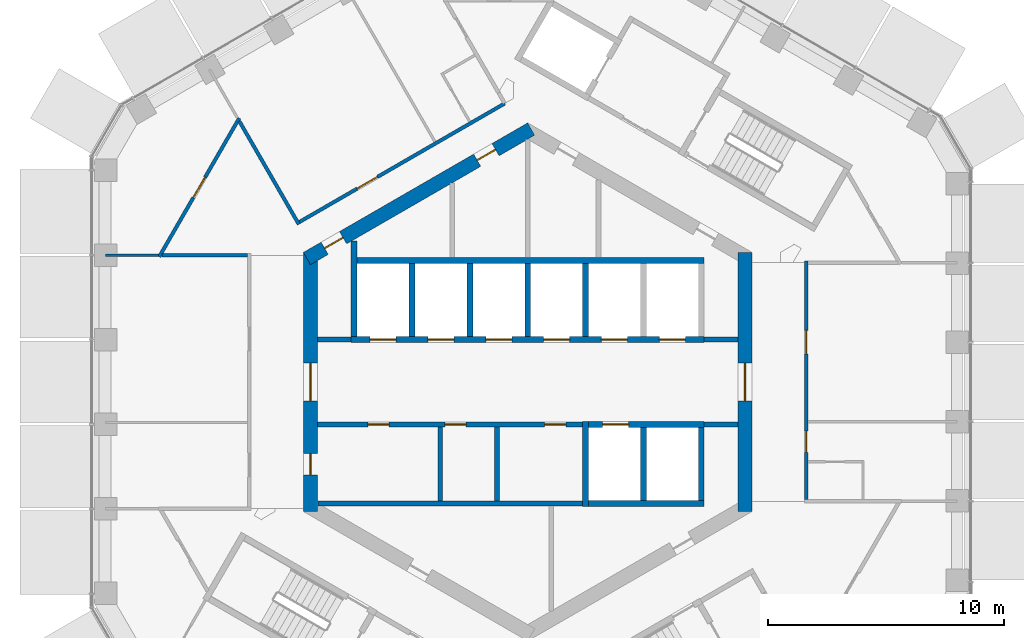
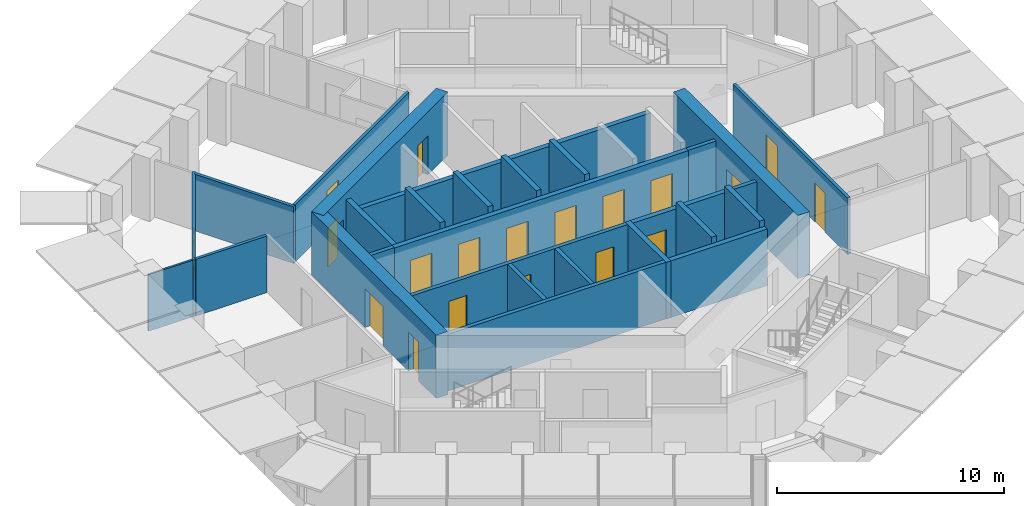
# One storey, part 14 of 18: 28 walls, 19 doors, 19 openings.
"""IFC4 building model written with IfcOpenShell, lengths in metres."""

from ifc_helpers import new_model, si_unit, direction, frame, frame_2d, origin, place, context, subcontext, project, spatial, rectangle, extrude, material, layer, layer_set, type_object, element, fill, save


model = new_model("IFC4")

# Units and contexts
model_context = context("Model", 3, precision=1e-05, world=origin(), true_north=direction((0.0, 1.0)))
body_context = subcontext(model_context, "Body", "Model", "MODEL_VIEW")
ifc_project = project(units=[si_unit("LENGTHUNIT", "METRE"), si_unit("AREAUNIT", "SQUARE_METRE"), si_unit("VOLUMEUNIT", "CUBIC_METRE"), si_unit("PLANEANGLEUNIT", "RADIAN"), si_unit("MASSUNIT", "GRAM", prefix="KILO")], contexts=[model_context])

# Site, building, storey
site_placement = place(None, origin())
site = spatial("IfcSite", under=ifc_project, at=site_placement, CompositionType="ELEMENT")
building_placement = place(site_placement, origin())
building = spatial("IfcBuilding", under=site, at=building_placement, Name="Ayvan Gate Tower", CompositionType="ELEMENT")
storey_placement = place(building_placement, frame((0.0, 0.0, 169.699951171875)))
storey = spatial("IfcBuildingStorey", under=building, at=storey_placement, Name="L45", CompositionType="ELEMENT", Elevation=169.699951171875)

# Wall, opening, door
ifc_material_1 = material(Name="Concrete C60/75", Category="concrete")
ifc_layer_1 = layer(ifc_material_1, 0.60009765625)
ifc_layer_set_1 = layer_set([ifc_layer_1], Name="Concrete C60/75")
wall_type_1 = type_object("IfcWallType", Name="Core wall 600 C60/75", PredefinedType="SHEAR", material=ifc_layer_set_1)
wall_1_placement = place(storey_placement, frame((9.199951171875, -5.48486328125, 0.0), z_axis=(0.0, 0.0, 1.0), x_axis=(0.0, 1.0, 0.0)))
wall_1 = element("IfcWall", 1, at=wall_1_placement, inside=storey, type_object=wall_type_1, Name="CORE-L45-0", PredefinedType="SHEAR", context=body_context, shape_type="SweptSolid", body=[
    extrude(rectangle(XDim=10.9697265625, YDim=0.60009765625, at=frame_2d((5.48486328125, 0.0))), origin(), (0.0, 0.0, 1.0), 3.400146484375),
])
opening_1_placement = place(wall_1_placement, frame((4.684814453125, 0.0, 0.0)))
opening_1 = element("IfcOpeningElement", 2, at=opening_1_placement, cuts=wall_1, Name="Opening L45-D44", PredefinedType="OPENING", context=body_context, shape_type="SweptSolid", body=[
    extrude(rectangle(XDim=1.60009765625, YDim=2.10009765625, at=frame_2d((0.800048828125, 1.050048828125))), frame((0.0, 0.31005859375, 0.0), z_axis=(0.0, -1.0, 0.0), x_axis=(1.0, 0.0, 0.0)), (0.0, 0.0, 1.0), 0.6201171875),
])
ifc_material_2 = material(Name="Timber door leaf", Category="wood")
door_type_1 = type_object("IfcDoorType", Name="DT-1600", OperationType="NOTDEFINED", PredefinedType="DOOR", material=ifc_material_2)
door_1_placement = place(opening_1_placement, origin())
door_1 = element("IfcDoor", 3, at=door_1_placement, inside=storey, type_object=door_type_1, Name="CD-L45-44", OperationType="SINGLE_SWING_LEFT", OverallHeight=2.10009765625, OverallWidth=1.60009765625, PredefinedType="DOOR", context=body_context, shape_type="SweptSolid", body=[
    extrude(rectangle(XDim=1.60009765625, YDim=2.10009765625, at=frame_2d((0.800048828125, 1.050048828125))), frame((0.0, 0.02490234375, 0.0), z_axis=(0.0, -1.0, 0.0), x_axis=(1.0, 0.0, 0.0)), (0.0, 0.0, 1.0), 0.050048828125),
])
fill(opening_1, door_1)

# Wall, openings, doors
wall_2_placement = place(storey_placement, frame((0.14990234375, 10.7099609375, 0.0), z_axis=(0.0, 0.0, 1.0), x_axis=(-0.866023993627, -0.500002442456, 0.0)))
wall_2 = element("IfcWall", 4, at=wall_2_placement, inside=storey, type_object=wall_type_1, Name="CORE-L45-2", PredefinedType="SHEAR", context=body_context, shape_type="SweptSolid", body=[
    extrude(rectangle(XDim=10.9697265625, YDim=0.60009765625, at=frame_2d((5.48486328125, 0.0))), origin(), (0.0, 0.0, 1.0), 3.400146484375),
])
opening_2_placement = place(wall_2_placement, frame((9.201416015625, 0.0, 0.0)))
opening_2 = element("IfcOpeningElement", 5, at=opening_2_placement, cuts=wall_2, Name="Opening L45-D37", PredefinedType="OPENING", context=body_context, shape_type="SweptSolid", body=[
    extrude(rectangle(XDim=0.89990234375, YDim=2.10009765625, at=frame_2d((0.449951171875, 1.050048828125))), frame((0.0, 0.31005859375, 0.0), z_axis=(0.0, -1.0, 0.0), x_axis=(1.0, 0.0, 0.0)), (0.0, 0.0, 1.0), 0.6201171875),
])
opening_3_placement = place(wall_2_placement, frame((1.744384765625, 0.0, 0.0)))
opening_3 = element("IfcOpeningElement", 6, at=opening_3_placement, cuts=wall_2, Name="Opening L45-D38", PredefinedType="OPENING", context=body_context, shape_type="SweptSolid", body=[
    extrude(rectangle(XDim=0.89990234375, YDim=2.10009765625, at=frame_2d((0.449951171875, 1.050048828125))), frame((0.0, 0.31005859375, 0.0), z_axis=(0.0, -1.0, 0.0), x_axis=(1.0, 0.0, 0.0)), (0.0, 0.0, 1.0), 0.6201171875),
])
door_type_2 = type_object("IfcDoorType", Name="DT-900", OperationType="NOTDEFINED", PredefinedType="DOOR", material=ifc_material_2)
door_2_placement = place(opening_2_placement, origin())
door_2 = element("IfcDoor", 7, at=door_2_placement, inside=storey, type_object=door_type_2, Name="CD-L45-37", OperationType="SINGLE_SWING_RIGHT", OverallHeight=2.10009765625, OverallWidth=0.89990234375, PredefinedType="DOOR", context=body_context, shape_type="SweptSolid", body=[
    extrude(rectangle(XDim=0.89990234375, YDim=2.10009765625, at=frame_2d((0.449951171875, 1.050048828125))), frame((0.0, 0.02490234375, 0.0), z_axis=(0.0, -1.0, 0.0), x_axis=(1.0, 0.0, 0.0)), (0.0, 0.0, 1.0), 0.050048828125),
])
fill(opening_2, door_2)
door_3_placement = place(opening_3_placement, origin())
door_3 = element("IfcDoor", 8, at=door_3_placement, inside=storey, type_object=door_type_2, Name="CD-L45-38", OperationType="SINGLE_SWING_LEFT", OverallHeight=2.10009765625, OverallWidth=0.89990234375, PredefinedType="DOOR", context=body_context, shape_type="SweptSolid", body=[
    extrude(rectangle(XDim=0.89990234375, YDim=2.10009765625, at=frame_2d((0.449951171875, 1.050048828125))), frame((0.0, 0.02490234375, 0.0), z_axis=(0.0, -1.0, 0.0), x_axis=(1.0, 0.0, 0.0)), (0.0, 0.0, 1.0), 0.050048828125),
])
fill(opening_3, door_3)

wall_3_placement = place(storey_placement, frame((-9.199951171875, 5.48486328125, 0.0), z_axis=(0.0, 0.0, 1.0), x_axis=(0.0, -1.0, 0.0)))
wall_3 = element("IfcWall", 9, at=wall_3_placement, inside=storey, type_object=wall_type_1, Name="CORE-L45-3", PredefinedType="SHEAR", context=body_context, shape_type="SweptSolid", body=[
    extrude(rectangle(XDim=10.9697265625, YDim=0.60009765625, at=frame_2d((5.48486328125, 0.0))), origin(), (0.0, 0.0, 1.0), 3.400146484375),
])
opening_4_placement = place(wall_3_placement, frame((8.51611328125, 0.0, 0.0)))
opening_4 = element("IfcOpeningElement", 10, at=opening_4_placement, cuts=wall_3, Name="Opening L45-D43", PredefinedType="OPENING", context=body_context, shape_type="SweptSolid", body=[
    extrude(rectangle(XDim=0.89990234375, YDim=2.10009765625, at=frame_2d((0.449951171875, 1.050048828125))), frame((0.0, 0.31005859375, 0.0), z_axis=(0.0, -1.0, 0.0), x_axis=(1.0, 0.0, 0.0)), (0.0, 0.0, 1.0), 0.6201171875),
])
opening_5_placement = place(wall_3_placement, frame((4.684814453125, 0.0, 0.0)))
opening_5 = element("IfcOpeningElement", 11, at=opening_5_placement, cuts=wall_3, Name="Opening L45-D45", PredefinedType="OPENING", context=body_context, shape_type="SweptSolid", body=[
    extrude(rectangle(XDim=1.60009765625, YDim=2.10009765625, at=frame_2d((0.800048828125, 1.050048828125))), frame((0.0, 0.31005859375, 0.0), z_axis=(0.0, -1.0, 0.0), x_axis=(1.0, 0.0, 0.0)), (0.0, 0.0, 1.0), 0.6201171875),
])
door_4_placement = place(opening_5_placement, origin())
door_4 = element("IfcDoor", 12, at=door_4_placement, inside=storey, type_object=door_type_1, Name="CD-L45-45", OperationType="SINGLE_SWING_RIGHT", OverallHeight=2.10009765625, OverallWidth=1.60009765625, PredefinedType="DOOR", context=body_context, shape_type="SweptSolid", body=[
    extrude(rectangle(XDim=1.60009765625, YDim=2.10009765625, at=frame_2d((0.800048828125, 1.050048828125))), frame((0.0, 0.02490234375, 0.0), z_axis=(0.0, -1.0, 0.0), x_axis=(1.0, 0.0, 0.0)), (0.0, 0.0, 1.0), 0.050048828125),
])
fill(opening_5, door_4)
door_5_placement = place(opening_4_placement, origin())
door_5 = element("IfcDoor", 13, at=door_5_placement, inside=storey, type_object=door_type_2, Name="CD-L45-43", OperationType="SINGLE_SWING_RIGHT", OverallHeight=2.10009765625, OverallWidth=0.89990234375, PredefinedType="DOOR", context=body_context, shape_type="SweptSolid", body=[
    extrude(rectangle(XDim=0.89990234375, YDim=2.10009765625, at=frame_2d((0.449951171875, 1.050048828125))), frame((0.0, 0.02490234375, 0.0), z_axis=(0.0, -1.0, 0.0), x_axis=(1.0, 0.0, 0.0)), (0.0, 0.0, 1.0), 0.050048828125),
])
fill(opening_4, door_5)

# Wall, opening, door
ifc_material_3 = material(Name="Plasterboard on steel stud", Category="steel")
ifc_layer_2 = layer(ifc_material_3, 0.14990234375)
ifc_layer_set_2 = layer_set([ifc_layer_2], Name="Plasterboard on steel stud")
wall_type_2 = type_object("IfcWallType", Name="WT-CORR-150", PredefinedType="PARTITIONING", material=ifc_layer_set_2)
wall_4_placement = place(storey_placement, frame((-15.606201171875, 5.298583984375, 0.0), z_axis=(0.0, 0.0, 1.0), x_axis=(0.500024587347, 0.866011207807, 0.0)))
wall_4 = element("IfcWall", 14, at=wall_4_placement, inside=storey, type_object=wall_type_2, Name="IW-L45-001", PredefinedType="PARTITIONING", context=body_context, shape_type="SweptSolid", body=[
    extrude(rectangle(XDim=6.784912109375, YDim=0.14990234375, at=frame_2d((3.392578125, 0.0))), origin(), (0.0, 0.0, 1.0), 3.050048828125),
])
opening_6_placement = place(wall_4_placement, frame((2.892333984375, 0.0, 0.0)))
opening_6 = element("IfcOpeningElement", 15, at=opening_6_placement, cuts=wall_4, Name="Opening L45-D27", PredefinedType="OPENING", context=body_context, shape_type="SweptSolid", body=[
    extrude(rectangle(XDim=1.0, YDim=2.10009765625, at=frame_2d((0.5, 1.050048828125))), frame((0.0, 0.0849609375, 0.0), z_axis=(0.0, -1.0, 0.0), x_axis=(1.0, 0.0, 0.0)), (0.0, 0.0, 1.0), 0.169921875),
])
door_type_3 = type_object("IfcDoorType", Name="DT-1000", OperationType="NOTDEFINED", PredefinedType="DOOR", material=ifc_material_2)
door_6_placement = place(opening_6_placement, origin())
door_6 = element("IfcDoor", 16, at=door_6_placement, inside=storey, type_object=door_type_3, Name="ID-L45-027", OperationType="SINGLE_SWING_RIGHT", OverallHeight=2.10009765625, OverallWidth=1.0, PredefinedType="DOOR", context=body_context, shape_type="SweptSolid", body=[
    extrude(rectangle(XDim=1.0, YDim=2.10009765625, at=frame_2d((0.5, 1.050048828125))), frame((0.0, 0.02490234375, 0.0), z_axis=(0.0, -1.0, 0.0), x_axis=(1.0, 0.0, 0.0)), (0.0, 0.0, 1.0), 0.050048828125),
])
fill(opening_6, door_6)

# Walls
wall_5_placement = place(storey_placement, frame((-12.213623046875, 11.04443359375, 0.0), z_axis=(0.0, 0.0, 1.0), x_axis=(0.499973712363, -0.866040580427, 0.0)))
element("IfcWall", 17, at=wall_5_placement, inside=storey, type_object=wall_type_2, Name="IW-L45-008", PredefinedType="PARTITIONING", context=body_context, shape_type="SweptSolid", body=[
    extrude(rectangle(XDim=5.046630859375, YDim=0.14990234375, at=frame_2d((2.5234375, 0.0))), origin(), (0.0, 0.0, 1.0), 3.050048828125),
])
wall_6_placement = place(storey_placement, frame((-11.875, 5.363525390625, 0.0), z_axis=(0.0, 0.0, 1.0), x_axis=(-1.0, 0.0, 0.0)))
element("IfcWall", 18, at=wall_6_placement, inside=storey, type_object=wall_type_2, Name="IW-L45-012", PredefinedType="PARTITIONING", context=body_context, shape_type="SweptSolid", body=[
    extrude(rectangle(XDim=3.61865234375, YDim=0.14990234375, at=frame_2d((1.809326171875, 0.0))), origin(), (0.0, 0.0, 1.0), 3.050048828125),
])

# Wall, opening, door
wall_7_placement = place(storey_placement, frame((-9.6630859375, 6.7763671875, 0.0), z_axis=(0.0, 0.0, 1.0), x_axis=(0.866026375365, 0.499998317169, 0.0)))
wall_7 = element("IfcWall", 19, at=wall_7_placement, inside=storey, type_object=wall_type_2, Name="IW-L45-013", PredefinedType="PARTITIONING", context=body_context, shape_type="SweptSolid", body=[
    extrude(rectangle(XDim=10.03564453125, YDim=0.14990234375, at=frame_2d((5.017822265625, 0.0))), origin(), (0.0, 0.0, 1.0), 3.050048828125),
])
opening_7_placement = place(wall_7_placement, frame((2.817626953125, 0.0, 0.0)))
opening_7 = element("IfcOpeningElement", 20, at=opening_7_placement, cuts=wall_7, Name="Opening L45-D36", PredefinedType="OPENING", context=body_context, shape_type="SweptSolid", body=[
    extrude(rectangle(XDim=1.0, YDim=2.10009765625, at=frame_2d((0.5, 1.050048828125))), frame((0.0, 0.0849609375, 0.0), z_axis=(0.0, -1.0, 0.0), x_axis=(1.0, 0.0, 0.0)), (0.0, 0.0, 1.0), 0.169921875),
])
door_7_placement = place(opening_7_placement, origin())
door_7 = element("IfcDoor", 21, at=door_7_placement, inside=storey, type_object=door_type_3, Name="ID-L45-036", OperationType="SINGLE_SWING_LEFT", OverallHeight=2.10009765625, OverallWidth=1.0, PredefinedType="DOOR", context=body_context, shape_type="SweptSolid", body=[
    extrude(rectangle(XDim=1.0, YDim=2.10009765625, at=frame_2d((0.5, 1.050048828125))), frame((0.0, 0.02490234375, 0.0), z_axis=(0.0, -1.0, 0.0), x_axis=(1.0, 0.0, 0.0)), (0.0, 0.0, 1.0), 0.050048828125),
])
fill(opening_7, door_7)

# Wall, openings, doors
wall_8_placement = place(storey_placement, frame((11.800048828125, -4.980224609375, 0.0), z_axis=(0.0, 0.0, 1.0), x_axis=(0.0, 1.0, 0.0)))
wall_8 = element("IfcWall", 22, at=wall_8_placement, inside=storey, type_object=wall_type_2, Name="IW-L45-081", PredefinedType="PARTITIONING", context=body_context, shape_type="SweptSolid", body=[
    extrude(rectangle(XDim=10.1103515625, YDim=0.14990234375, at=frame_2d((5.05517578125, 0.0))), origin(), (0.0, 0.0, 1.0), 3.050048828125),
])
opening_8_placement = place(wall_8_placement, frame((1.9951171875, 0.0, 0.0)))
opening_8 = element("IfcOpeningElement", 23, at=opening_8_placement, cuts=wall_8, Name="Opening L45-D22", PredefinedType="OPENING", context=body_context, shape_type="SweptSolid", body=[
    extrude(rectangle(XDim=0.89990234375, YDim=2.10009765625, at=frame_2d((0.449951171875, 1.050048828125))), frame((0.0, 0.0849609375, 0.0), z_axis=(0.0, -1.0, 0.0), x_axis=(1.0, 0.0, 0.0)), (0.0, 0.0, 1.0), 0.169921875),
])
opening_9_placement = place(wall_8_placement, frame((6.165283203125, 0.0, 0.0)))
opening_9 = element("IfcOpeningElement", 24, at=opening_9_placement, cuts=wall_8, Name="Opening L45-D24", PredefinedType="OPENING", context=body_context, shape_type="SweptSolid", body=[
    extrude(rectangle(XDim=1.0, YDim=2.10009765625, at=frame_2d((0.5, 1.050048828125))), frame((0.0, 0.0849609375, 0.0), z_axis=(0.0, -1.0, 0.0), x_axis=(1.0, 0.0, 0.0)), (0.0, 0.0, 1.0), 0.169921875),
])
door_8_placement = place(opening_9_placement, origin())
door_8 = element("IfcDoor", 25, at=door_8_placement, inside=storey, type_object=door_type_3, Name="ID-L45-024", OperationType="SINGLE_SWING_LEFT", OverallHeight=2.10009765625, OverallWidth=1.0, PredefinedType="DOOR", context=body_context, shape_type="SweptSolid", body=[
    extrude(rectangle(XDim=1.0, YDim=2.10009765625, at=frame_2d((0.5, 1.050048828125))), frame((0.0, 0.02490234375, 0.0), z_axis=(0.0, -1.0, 0.0), x_axis=(1.0, 0.0, 0.0)), (0.0, 0.0, 1.0), 0.050048828125),
])
fill(opening_9, door_8)
door_9_placement = place(opening_8_placement, origin())
door_9 = element("IfcDoor", 26, at=door_9_placement, inside=storey, type_object=door_type_2, Name="ID-L45-022", OperationType="SINGLE_SWING_LEFT", OverallHeight=2.10009765625, OverallWidth=0.89990234375, PredefinedType="DOOR", context=body_context, shape_type="SweptSolid", body=[
    extrude(rectangle(XDim=0.89990234375, YDim=2.10009765625, at=frame_2d((0.449951171875, 1.050048828125))), frame((0.0, 0.02490234375, 0.0), z_axis=(0.0, -1.0, 0.0), x_axis=(1.0, 0.0, 0.0)), (0.0, 0.0, 1.0), 0.050048828125),
])
fill(opening_8, door_9)

# Walls
ifc_layer_3 = layer(ifc_material_3, 0.10009765625)
ifc_layer_set_3 = layer_set([ifc_layer_3], Name="Plasterboard on steel stud")
wall_type_3 = type_object("IfcWallType", Name="WT-PART-100", PredefinedType="PARTITIONING", material=ifc_layer_set_3)
wall_9_placement = place(storey_placement, frame((-15.6435546875, 5.363525390625, 0.0), z_axis=(0.0, 0.0, 1.0), x_axis=(-1.0, 0.0, 0.0)))
element("IfcWall", 27, at=wall_9_placement, inside=storey, type_object=wall_type_3, Name="IW-L45-000", PredefinedType="PARTITIONING", context=body_context, shape_type="SweptSolid", body=[
    extrude(rectangle(XDim=2.246337890625, YDim=0.10009765625, at=frame_2d((1.123046875, 0.0))), origin(), (0.0, 0.0, 1.0), 3.050048828125),
])
ifc_layer_4 = layer(ifc_material_3, 0.199951171875)
ifc_layer_set_4 = layer_set([ifc_layer_4], Name="Plasterboard on steel stud")
wall_type_4 = type_object("IfcWallType", Name="WT-RATED-200", PredefinedType="PARTITIONING", material=ifc_layer_set_4)
wall_10_placement = place(storey_placement, frame((-8.89990234375, 1.800048828125, 0.0), z_axis=(0.0, 0.0, 1.0), x_axis=(1.0, 0.0, 0.0)))
element("IfcWall", 28, at=wall_10_placement, inside=storey, type_object=wall_type_4, Name="IW-L45-014", PredefinedType="PARTITIONING", context=body_context, shape_type="SweptSolid", body=[
    extrude(rectangle(XDim=1.425048828125, YDim=0.199951171875, at=frame_2d((0.71240234375, 0.0))), origin(), (0.0, 0.0, 1.0), 3.050048828125),
])
wall_11_placement = place(storey_placement, frame((-8.8798828125, -5.14990234375, 0.0), z_axis=(0.0, 0.0, 1.0), x_axis=(1.0, 0.0, 0.0)))
element("IfcWall", 29, at=wall_11_placement, inside=storey, type_object=wall_type_4, Name="IW-L45-015", PredefinedType="PARTITIONING", context=body_context, shape_type="SweptSolid", body=[
    extrude(rectangle(XDim=11.205078125, YDim=0.199951171875, at=frame_2d((5.6025390625, 0.0))), origin(), (0.0, 0.0, 1.0), 3.050048828125),
])
wall_12_placement = place(storey_placement, frame((-3.699951171875, -1.89990234375, 0.0), z_axis=(0.0, 0.0, 1.0), x_axis=(0.0, -1.0, 0.0)))
element("IfcWall", 30, at=wall_12_placement, inside=storey, type_object=wall_type_4, Name="IW-L45-028", PredefinedType="PARTITIONING", context=body_context, shape_type="SweptSolid", body=[
    extrude(rectangle(XDim=3.150146484375, YDim=0.199951171875, at=frame_2d((1.5751953125, 0.0))), origin(), (0.0, 0.0, 1.0), 3.050048828125),
])

# Wall, openings, doors
wall_13_placement = place(storey_placement, frame((-8.89990234375, -1.800048828125, 0.0), z_axis=(0.0, 0.0, 1.0), x_axis=(1.0, 0.0, 0.0)))
wall_13 = element("IfcWall", 31, at=wall_13_placement, inside=storey, type_object=wall_type_4, Name="IW-L45-029", PredefinedType="PARTITIONING", context=body_context, shape_type="SweptSolid", body=[
    extrude(rectangle(XDim=11.22509765625, YDim=0.199951171875, at=frame_2d((5.612548828125, 0.0))), origin(), (0.0, 0.0, 1.0), 3.050048828125),
])
opening_10_placement = place(wall_13_placement, frame((2.135009765625, 0.0, 0.0)))
opening_10 = element("IfcOpeningElement", 32, at=opening_10_placement, cuts=wall_13, Name="Opening L45-D08", PredefinedType="OPENING", context=body_context, shape_type="SweptSolid", body=[
    extrude(rectangle(XDim=0.89990234375, YDim=2.10009765625, at=frame_2d((0.449951171875, 1.050048828125))), frame((0.0, 0.10986328125, 0.0), z_axis=(0.0, -1.0, 0.0), x_axis=(1.0, 0.0, 0.0)), (0.0, 0.0, 1.0), 0.219970703125),
])
opening_11_placement = place(wall_13_placement, frame((5.389892578125, 0.0, 0.0)))
opening_11 = element("IfcOpeningElement", 33, at=opening_11_placement, cuts=wall_13, Name="Opening L45-D09", PredefinedType="OPENING", context=body_context, shape_type="SweptSolid", body=[
    extrude(rectangle(XDim=0.89990234375, YDim=2.10009765625, at=frame_2d((0.449951171875, 1.050048828125))), frame((0.0, 0.10986328125, 0.0), z_axis=(0.0, -1.0, 0.0), x_axis=(1.0, 0.0, 0.0)), (0.0, 0.0, 1.0), 0.219970703125),
])
opening_12_placement = place(wall_13_placement, frame((9.612548828125, 0.0, 0.0)))
opening_12 = element("IfcOpeningElement", 34, at=opening_12_placement, cuts=wall_13, Name="Opening L45-D10", PredefinedType="OPENING", context=body_context, shape_type="SweptSolid", body=[
    extrude(rectangle(XDim=0.89990234375, YDim=2.10009765625, at=frame_2d((0.449951171875, 1.050048828125))), frame((0.0, 0.10986328125, 0.0), z_axis=(0.0, -1.0, 0.0), x_axis=(1.0, 0.0, 0.0)), (0.0, 0.0, 1.0), 0.219970703125),
])
door_10_placement = place(opening_10_placement, origin())
door_10 = element("IfcDoor", 35, at=door_10_placement, inside=storey, type_object=door_type_2, Name="ID-L45-008", OperationType="SINGLE_SWING_LEFT", OverallHeight=2.10009765625, OverallWidth=0.89990234375, PredefinedType="DOOR", context=body_context, shape_type="SweptSolid", body=[
    extrude(rectangle(XDim=0.89990234375, YDim=2.10009765625, at=frame_2d((0.449951171875, 1.050048828125))), frame((0.0, 0.02490234375, 0.0), z_axis=(0.0, -1.0, 0.0), x_axis=(1.0, 0.0, 0.0)), (0.0, 0.0, 1.0), 0.050048828125),
])
fill(opening_10, door_10)
door_11_placement = place(opening_11_placement, origin())
door_11 = element("IfcDoor", 36, at=door_11_placement, inside=storey, type_object=door_type_2, Name="ID-L45-009", OperationType="SINGLE_SWING_RIGHT", OverallHeight=2.10009765625, OverallWidth=0.89990234375, PredefinedType="DOOR", context=body_context, shape_type="SweptSolid", body=[
    extrude(rectangle(XDim=0.89990234375, YDim=2.10009765625, at=frame_2d((0.449951171875, 1.050048828125))), frame((0.0, 0.02490234375, 0.0), z_axis=(0.0, -1.0, 0.0), x_axis=(1.0, 0.0, 0.0)), (0.0, 0.0, 1.0), 0.050048828125),
])
fill(opening_11, door_11)
door_12_placement = place(opening_12_placement, origin())
door_12 = element("IfcDoor", 37, at=door_12_placement, inside=storey, type_object=door_type_2, Name="ID-L45-010", OperationType="SINGLE_SWING_LEFT", OverallHeight=2.10009765625, OverallWidth=0.89990234375, PredefinedType="DOOR", context=body_context, shape_type="SweptSolid", body=[
    extrude(rectangle(XDim=0.89990234375, YDim=2.10009765625, at=frame_2d((0.449951171875, 1.050048828125))), frame((0.0, 0.02490234375, 0.0), z_axis=(0.0, -1.0, 0.0), x_axis=(1.0, 0.0, 0.0)), (0.0, 0.0, 1.0), 0.050048828125),
])
fill(opening_12, door_12)

# Walls
wall_14_placement = place(storey_placement, frame((-1.300048828125, -1.89990234375, 0.0), z_axis=(0.0, 0.0, 1.0), x_axis=(0.0, -1.0, 0.0)))
element("IfcWall", 38, at=wall_14_placement, inside=storey, type_object=wall_type_4, Name="IW-L45-039", PredefinedType="PARTITIONING", context=body_context, shape_type="SweptSolid", body=[
    extrude(rectangle(XDim=3.150146484375, YDim=0.199951171875, at=frame_2d((1.5751953125, 0.0))), origin(), (0.0, 0.0, 1.0), 3.050048828125),
])
for number, where, z_axis, x_axis, name in (
    (39, (7.474853515625, 1.800048828125, 0.0), (0.0, 0.0, 1.0), (1.0, 0.0, 0.0), "IW-L45-070"),
    (40, (8.89990234375, -1.800048828125, 0.0), (0.0, 0.0, 1.0), (-1.0, 0.0, 0.0), "IW-L45-076"),
):
    element("IfcWall", number, at=place(storey_placement, frame(where, z_axis=z_axis, x_axis=x_axis)), inside=storey, type_object=wall_type_4, Name=name, PredefinedType="PARTITIONING", context=body_context, shape_type="SweptSolid", body=[
        extrude(rectangle(XDim=1.425048828125, YDim=0.199951171875, at=frame_2d((0.71240234375, 0.0))), origin(), (0.0, 0.0, 1.0), 3.050048828125),
    ])

# Wall, openings, doors
ifc_material_4 = material(Name="Concrete C50/60", Category="concrete")
ifc_layer_5 = layer(ifc_material_4, 0.25)
ifc_layer_set_5 = layer_set([ifc_layer_5], Name="Concrete C50/60")
wall_type_5 = type_object("IfcWallType", Name="WT-RC-250", PredefinedType="SHEAR", material=ifc_layer_set_5)
wall_15_placement = place(storey_placement, frame((-7.47509765625, 1.800048828125, 0.0), z_axis=(0.0, 0.0, 1.0), x_axis=(1.0, 0.0, 0.0)))
wall_15 = element("IfcWall", 41, at=wall_15_placement, inside=storey, type_object=wall_type_5, Name="IW-L45-020", PredefinedType="SHEAR", context=body_context, shape_type="SweptSolid", body=[
    extrude(rectangle(XDim=14.9501953125, YDim=0.25, at=frame_2d((7.47509765625, 0.0))), origin(), (0.0, 0.0, 1.0), 3.050048828125),
])
opening_13_placement = place(wall_15_placement, frame((0.800048828125, 0.0, 0.0)))
opening_13 = element("IfcOpeningElement", 42, at=opening_13_placement, cuts=wall_15, Name="Opening L45-LD-HR1", PredefinedType="OPENING", context=body_context, shape_type="SweptSolid", body=[
    extrude(rectangle(XDim=1.10009765625, YDim=2.10009765625, at=frame_2d((0.550048828125, 1.050048828125))), frame((0.0, 0.135009765625, 0.0), z_axis=(0.0, -1.0, 0.0), x_axis=(1.0, 0.0, 0.0)), (0.0, 0.0, 1.0), 0.27001953125),
])
opening_14_placement = place(wall_15_placement, frame((3.25, 0.0, 0.0)))
opening_14 = element("IfcOpeningElement", 43, at=opening_14_placement, cuts=wall_15, Name="Opening L45-LD-HR2", PredefinedType="OPENING", context=body_context, shape_type="SweptSolid", body=[
    extrude(rectangle(XDim=1.10009765625, YDim=2.10009765625, at=frame_2d((0.550048828125, 1.050048828125))), frame((0.0, 0.135009765625, 0.0), z_axis=(0.0, -1.0, 0.0), x_axis=(1.0, 0.0, 0.0)), (0.0, 0.0, 1.0), 0.27001953125),
])
opening_15_placement = place(wall_15_placement, frame((5.7001953125, 0.0, 0.0)))
opening_15 = element("IfcOpeningElement", 44, at=opening_15_placement, cuts=wall_15, Name="Opening L45-LD-HR3", PredefinedType="OPENING", context=body_context, shape_type="SweptSolid", body=[
    extrude(rectangle(XDim=1.10009765625, YDim=2.10009765625, at=frame_2d((0.550048828125, 1.050048828125))), frame((0.0, 0.135009765625, 0.0), z_axis=(0.0, -1.0, 0.0), x_axis=(1.0, 0.0, 0.0)), (0.0, 0.0, 1.0), 0.27001953125),
])
opening_16_placement = place(wall_15_placement, frame((8.150146484375, 0.0, 0.0)))
opening_16 = element("IfcOpeningElement", 45, at=opening_16_placement, cuts=wall_15, Name="Opening L45-LD-HR4", PredefinedType="OPENING", context=body_context, shape_type="SweptSolid", body=[
    extrude(rectangle(XDim=1.10009765625, YDim=2.10009765625, at=frame_2d((0.550048828125, 1.050048828125))), frame((0.0, 0.135009765625, 0.0), z_axis=(0.0, -1.0, 0.0), x_axis=(1.0, 0.0, 0.0)), (0.0, 0.0, 1.0), 0.27001953125),
])
opening_17_placement = place(wall_15_placement, frame((10.60009765625, 0.0, 0.0)))
opening_17 = element("IfcOpeningElement", 46, at=opening_17_placement, cuts=wall_15, Name="Opening L45-LD-HR5", PredefinedType="OPENING", context=body_context, shape_type="SweptSolid", body=[
    extrude(rectangle(XDim=1.10009765625, YDim=2.10009765625, at=frame_2d((0.550048828125, 1.050048828125))), frame((0.0, 0.135009765625, 0.0), z_axis=(0.0, -1.0, 0.0), x_axis=(1.0, 0.0, 0.0)), (0.0, 0.0, 1.0), 0.27001953125),
])
opening_18_placement = place(wall_15_placement, frame((13.050048828125, 0.0, 0.0)))
opening_18 = element("IfcOpeningElement", 47, at=opening_18_placement, cuts=wall_15, Name="Opening L45-LD-HR6", PredefinedType="OPENING", context=body_context, shape_type="SweptSolid", body=[
    extrude(rectangle(XDim=1.10009765625, YDim=2.10009765625, at=frame_2d((0.550048828125, 1.050048828125))), frame((0.0, 0.135009765625, 0.0), z_axis=(0.0, -1.0, 0.0), x_axis=(1.0, 0.0, 0.0)), (0.0, 0.0, 1.0), 0.27001953125),
])
ifc_material_5 = material(Name="Stainless steel landing door", Category="steel")
door_type_4 = type_object("IfcDoorType", Name="DT-LANDING-1100", OperationType="SLIDING_TO_LEFT", PredefinedType="DOOR", material=ifc_material_5)
door_13_placement = place(opening_13_placement, origin())
door_13 = element("IfcDoor", 48, at=door_13_placement, inside=storey, type_object=door_type_4, Name="ID-L45-001", OperationType="SLIDING_TO_LEFT", OverallHeight=2.10009765625, OverallWidth=1.10009765625, PredefinedType="DOOR", context=body_context, shape_type="SweptSolid", body=[
    extrude(rectangle(XDim=1.10009765625, YDim=2.10009765625, at=frame_2d((0.550048828125, 1.050048828125))), frame((0.0, 0.02490234375, 0.0), z_axis=(0.0, -1.0, 0.0), x_axis=(1.0, 0.0, 0.0)), (0.0, 0.0, 1.0), 0.050048828125),
])
fill(opening_13, door_13)
door_14_placement = place(opening_14_placement, origin())
door_14 = element("IfcDoor", 49, at=door_14_placement, inside=storey, type_object=door_type_4, Name="ID-L45-002", OperationType="SLIDING_TO_LEFT", OverallHeight=2.10009765625, OverallWidth=1.10009765625, PredefinedType="DOOR", context=body_context, shape_type="SweptSolid", body=[
    extrude(rectangle(XDim=1.10009765625, YDim=2.10009765625, at=frame_2d((0.550048828125, 1.050048828125))), frame((0.0, 0.02490234375, 0.0), z_axis=(0.0, -1.0, 0.0), x_axis=(1.0, 0.0, 0.0)), (0.0, 0.0, 1.0), 0.050048828125),
])
fill(opening_14, door_14)
door_15_placement = place(opening_15_placement, origin())
door_15 = element("IfcDoor", 50, at=door_15_placement, inside=storey, type_object=door_type_4, Name="ID-L45-003", OperationType="SLIDING_TO_LEFT", OverallHeight=2.10009765625, OverallWidth=1.10009765625, PredefinedType="DOOR", context=body_context, shape_type="SweptSolid", body=[
    extrude(rectangle(XDim=1.10009765625, YDim=2.10009765625, at=frame_2d((0.550048828125, 1.050048828125))), frame((0.0, 0.02490234375, 0.0), z_axis=(0.0, -1.0, 0.0), x_axis=(1.0, 0.0, 0.0)), (0.0, 0.0, 1.0), 0.050048828125),
])
fill(opening_15, door_15)
door_16_placement = place(opening_16_placement, origin())
door_16 = element("IfcDoor", 51, at=door_16_placement, inside=storey, type_object=door_type_4, Name="ID-L45-004", OperationType="SLIDING_TO_LEFT", OverallHeight=2.10009765625, OverallWidth=1.10009765625, PredefinedType="DOOR", context=body_context, shape_type="SweptSolid", body=[
    extrude(rectangle(XDim=1.10009765625, YDim=2.10009765625, at=frame_2d((0.550048828125, 1.050048828125))), frame((0.0, 0.02490234375, 0.0), z_axis=(0.0, -1.0, 0.0), x_axis=(1.0, 0.0, 0.0)), (0.0, 0.0, 1.0), 0.050048828125),
])
fill(opening_16, door_16)
door_17_placement = place(opening_17_placement, origin())
door_17 = element("IfcDoor", 52, at=door_17_placement, inside=storey, type_object=door_type_4, Name="ID-L45-005", OperationType="SLIDING_TO_LEFT", OverallHeight=2.10009765625, OverallWidth=1.10009765625, PredefinedType="DOOR", context=body_context, shape_type="SweptSolid", body=[
    extrude(rectangle(XDim=1.10009765625, YDim=2.10009765625, at=frame_2d((0.550048828125, 1.050048828125))), frame((0.0, 0.02490234375, 0.0), z_axis=(0.0, -1.0, 0.0), x_axis=(1.0, 0.0, 0.0)), (0.0, 0.0, 1.0), 0.050048828125),
])
fill(opening_17, door_17)
door_18_placement = place(opening_18_placement, origin())
door_18 = element("IfcDoor", 53, at=door_18_placement, inside=storey, type_object=door_type_4, Name="ID-L45-006", OperationType="SLIDING_TO_LEFT", OverallHeight=2.10009765625, OverallWidth=1.10009765625, PredefinedType="DOOR", context=body_context, shape_type="SweptSolid", body=[
    extrude(rectangle(XDim=1.10009765625, YDim=2.10009765625, at=frame_2d((0.550048828125, 1.050048828125))), frame((0.0, 0.02490234375, 0.0), z_axis=(0.0, -1.0, 0.0), x_axis=(1.0, 0.0, 0.0)), (0.0, 0.0, 1.0), 0.050048828125),
])
fill(opening_18, door_18)

# Walls
wall_16_placement = place(storey_placement, frame((-7.35009765625, 1.925048828125, 0.0), z_axis=(0.0, 0.0, 1.0), x_axis=(0.0, 1.0, 0.0)))
element("IfcWall", 54, at=wall_16_placement, inside=storey, type_object=wall_type_5, Name="IW-L45-021", PredefinedType="SHEAR", context=body_context, shape_type="SweptSolid", body=[
    extrude(rectangle(XDim=4.0361328125, YDim=0.25, at=frame_2d((2.01806640625, 0.0))), origin(), (0.0, 0.0, 1.0), 3.050048828125),
])
wall_17_placement = place(storey_placement, frame((-7.22509765625, 5.14990234375, 0.0), z_axis=(0.0, 0.0, 1.0), x_axis=(1.0, 0.0, 0.0)))
element("IfcWall", 55, at=wall_17_placement, inside=storey, type_object=wall_type_5, Name="IW-L45-022", PredefinedType="SHEAR", context=body_context, shape_type="SweptSolid", body=[
    extrude(rectangle(XDim=14.7001953125, YDim=0.25, at=frame_2d((7.35009765625, 0.0))), origin(), (0.0, 0.0, 1.0), 3.050048828125),
])
for number, where, z_axis, x_axis, name in (
    (56, (-4.89990234375, 5.02490234375, 0.0), (0.0, 0.0, 1.0), (0.0, -1.0, 0.0), "IW-L45-025"),
    (57, (-2.449951171875, 5.02490234375, 0.0), (0.0, 0.0, 1.0), (0.0, -1.0, 0.0), "IW-L45-036"),
    (58, (0.0, 5.02490234375, 0.0), (0.0, 0.0, 1.0), (0.0, -1.0, 0.0), "IW-L45-044"),
):
    element("IfcWall", number, at=place(storey_placement, frame(where, z_axis=z_axis, x_axis=x_axis)), inside=storey, type_object=wall_type_5, Name=name, PredefinedType="SHEAR", context=body_context, shape_type="SweptSolid", body=[
        extrude(rectangle(XDim=3.099853515625, YDim=0.25, at=frame_2d((1.5498046875, 0.0))), origin(), (0.0, 0.0, 1.0), 3.400146484375),
    ])
wall_18_placement = place(storey_placement, frame((2.449951171875, -5.27490234375, 0.0), z_axis=(0.0, 0.0, 1.0), x_axis=(0.0, 1.0, 0.0)))
element("IfcWall", 59, at=wall_18_placement, inside=storey, type_object=wall_type_5, Name="IW-L45-050", PredefinedType="SHEAR", context=body_context, shape_type="SweptSolid", body=[
    extrude(rectangle(XDim=3.599853515625, YDim=0.25, at=frame_2d((1.7998046875, 0.0))), origin(), (0.0, 0.0, 1.0), 3.050048828125),
])
wall_19_placement = place(storey_placement, frame((2.449951171875, 5.02490234375, 0.0), z_axis=(0.0, 0.0, 1.0), x_axis=(0.0, -1.0, 0.0)))
element("IfcWall", 60, at=wall_19_placement, inside=storey, type_object=wall_type_5, Name="IW-L45-051", PredefinedType="SHEAR", context=body_context, shape_type="SweptSolid", body=[
    extrude(rectangle(XDim=3.099853515625, YDim=0.25, at=frame_2d((1.5498046875, 0.0))), origin(), (0.0, 0.0, 1.0), 3.400146484375),
])
wall_20_placement = place(storey_placement, frame((2.574951171875, -5.14990234375, 0.0), z_axis=(0.0, 0.0, 1.0), x_axis=(1.0, 0.0, 0.0)))
element("IfcWall", 61, at=wall_20_placement, inside=storey, type_object=wall_type_5, Name="IW-L45-060", PredefinedType="SHEAR", context=body_context, shape_type="SweptSolid", body=[
    extrude(rectangle(XDim=4.900146484375, YDim=0.25, at=frame_2d((2.4501953125, 0.0))), origin(), (0.0, 0.0, 1.0), 3.050048828125),
])
wall_21_placement = place(storey_placement, frame((4.89990234375, -1.925048828125, 0.0), z_axis=(0.0, 0.0, 1.0), x_axis=(0.0, -1.0, 0.0)))
element("IfcWall", 62, at=wall_21_placement, inside=storey, type_object=wall_type_5, Name="IW-L45-061", PredefinedType="SHEAR", context=body_context, shape_type="SweptSolid", body=[
    extrude(rectangle(XDim=3.099853515625, YDim=0.25, at=frame_2d((1.5498046875, 0.0))), origin(), (0.0, 0.0, 1.0), 3.400146484375),
])

# Wall, opening, door
wall_22_placement = place(storey_placement, frame((2.574951171875, -1.800048828125, 0.0), z_axis=(0.0, 0.0, 1.0), x_axis=(1.0, 0.0, 0.0)))
wall_22 = element("IfcWall", 63, at=wall_22_placement, inside=storey, type_object=wall_type_5, Name="IW-L45-063", PredefinedType="SHEAR", context=body_context, shape_type="SweptSolid", body=[
    extrude(rectangle(XDim=4.900146484375, YDim=0.25, at=frame_2d((2.4501953125, 0.0))), origin(), (0.0, 0.0, 1.0), 3.050048828125),
])
opening_19_placement = place(wall_22_placement, frame((0.597412109375, 0.0, 0.0)))
opening_19 = element("IfcOpeningElement", 64, at=opening_19_placement, cuts=wall_22, Name="Opening L45-LD-SV", PredefinedType="OPENING", context=body_context, shape_type="SweptSolid", body=[
    extrude(rectangle(XDim=1.10009765625, YDim=2.10009765625, at=frame_2d((0.550048828125, 1.050048828125))), frame((0.0, 0.135009765625, 0.0), z_axis=(0.0, -1.0, 0.0), x_axis=(1.0, 0.0, 0.0)), (0.0, 0.0, 1.0), 0.27001953125),
])
door_19_placement = place(opening_19_placement, origin())
door_19 = element("IfcDoor", 65, at=door_19_placement, inside=storey, type_object=door_type_4, Name="ID-L45-007", OperationType="SLIDING_TO_LEFT", OverallHeight=2.10009765625, OverallWidth=1.10009765625, PredefinedType="DOOR", context=body_context, shape_type="SweptSolid", body=[
    extrude(rectangle(XDim=1.10009765625, YDim=2.10009765625, at=frame_2d((0.550048828125, 1.050048828125))), frame((0.0, 0.02490234375, 0.0), z_axis=(0.0, -1.0, 0.0), x_axis=(1.0, 0.0, 0.0)), (0.0, 0.0, 1.0), 0.050048828125),
])
fill(opening_19, door_19)

# Wall
wall_23_placement = place(storey_placement, frame((7.35009765625, -1.925048828125, 0.0), z_axis=(0.0, 0.0, 1.0), x_axis=(0.0, -1.0, 0.0)))
element("IfcWall", 66, at=wall_23_placement, inside=storey, type_object=wall_type_5, Name="IW-L45-071", PredefinedType="SHEAR", context=body_context, shape_type="SweptSolid", body=[
    extrude(rectangle(XDim=3.099853515625, YDim=0.25, at=frame_2d((1.5498046875, 0.0))), origin(), (0.0, 0.0, 1.0), 3.400146484375),
])

save(model, "model.ifc")
